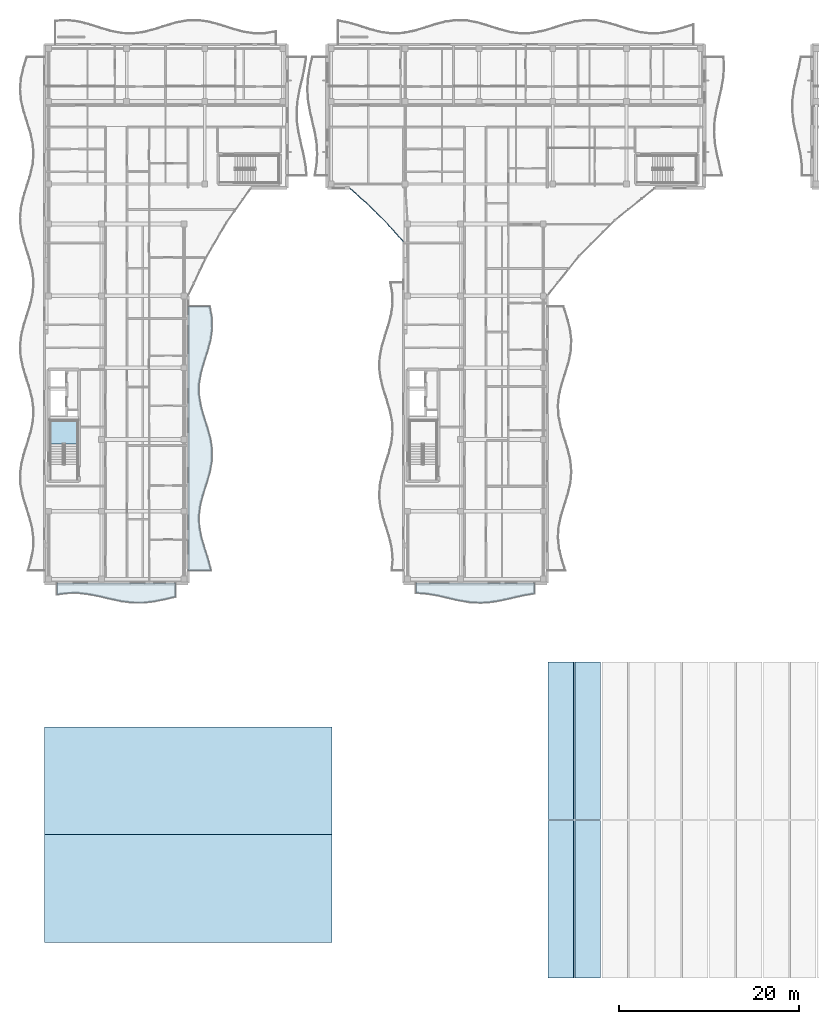
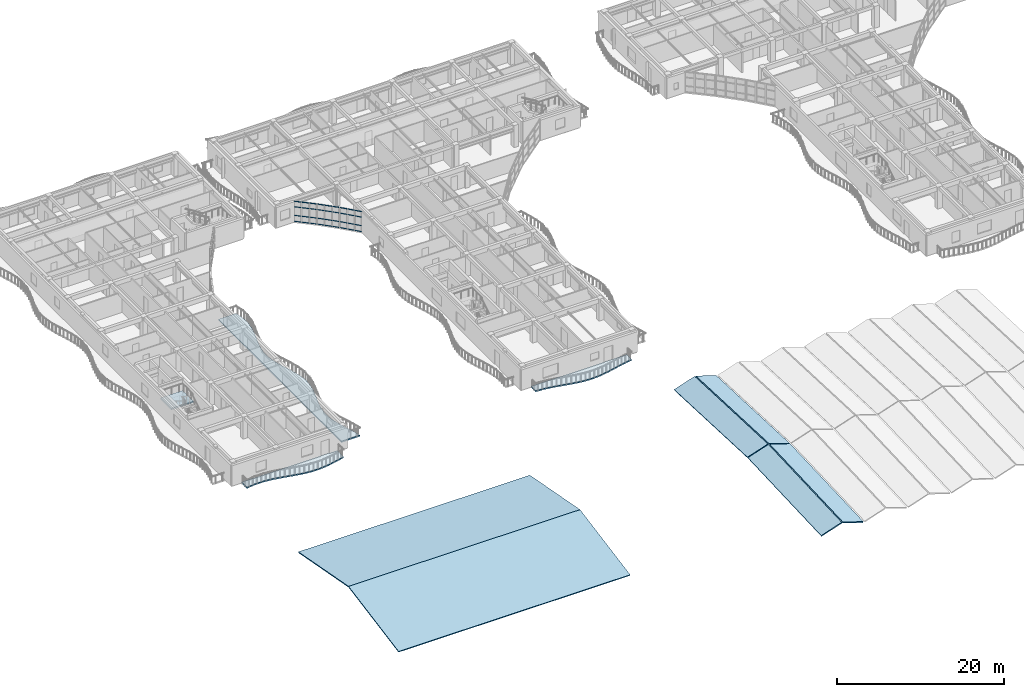
# One storey, part 36 of 89: 36 members, 10 slabs, 5 elements without a shape of their own.
"""IFC4 building model written with IfcOpenShell, lengths in metres."""

from ifc_helpers import new_model, si_unit, direction, frame, origin, origin_2d, place, context, subcontext, project, spatial, polyline, hollow_rectangle, outline, extrude, material, layer, layer_set, material_profile, profile_set, type_object, element, aggregate, save


model = new_model("IFC4")

# Units and contexts
model_context = context("Model", 3, precision=1e-05, world=origin(), true_north=direction((0.0, 1.0)))
body_context = subcontext(model_context, "Body", "Model", "MODEL_VIEW")
ifc_project = project(units=[si_unit("LENGTHUNIT", "METRE"), si_unit("AREAUNIT", "SQUARE_METRE"), si_unit("VOLUMEUNIT", "CUBIC_METRE"), si_unit("PLANEANGLEUNIT", "RADIAN"), si_unit("MASSUNIT", "GRAM", prefix="KILO")], contexts=[model_context])

# Site, building, storey
site_placement = place(None, origin())
site = spatial("IfcSite", under=ifc_project, at=site_placement, CompositionType="ELEMENT")
building_placement = place(site_placement, origin())
building = spatial("IfcBuilding", under=site, at=building_placement, Name="Keldmere Railside Commons", CompositionType="ELEMENT")
storey_placement = place(building_placement, frame((0.0, 0.0, 7.360107421875)))
storey = spatial("IfcBuildingStorey", under=building, at=storey_placement, Name="L02", CompositionType="ELEMENT", Elevation=7.360107421875)

# Curtain wall, members
ifc_material_1 = material(Name="Thermally Broken Aluminium", Category="aluminium")
ifc_layer_1 = layer(ifc_material_1, 0.159912109375, Name="Court Chord Wintergarden CW 4800x2850")
ifc_layer_set_1 = layer_set([ifc_layer_1], Name="Thermally Broken Aluminium")
curtain_wall_type_1 = type_object("IfcCurtainWallType", Name="Court Chord Wintergarden CW 4800x2850", PredefinedType="NOTDEFINED", material=ifc_layer_set_1)
curtain_wall_1_placement = place(storey_placement, origin())
curtain_wall_1 = element("IfcCurtainWall", 1, at=curtain_wall_1_placement, inside=storey, type_object=curtain_wall_type_1, Name="CW-12 CW-L02-040", PredefinedType="NOTDEFINED")
ifc_material_profile = material_profile(ifc_material_1, hollow_rectangle(XDim=0.06494140625, YDim=0.1201171875, WallThickness=0.00390625, at=origin_2d()), Name="ALU-TRAN-65x120")
ifc_profile_set = profile_set([ifc_material_profile], Name="Thermally Broken Aluminium")
member_type = type_object("IfcMemberType", Name="Unitised Curtain Wall Transom 65x120", PredefinedType="USERDEFINED", material=ifc_profile_set)
member_1_placement = place(storey_placement, frame((44.0595703125, 98.1533203125, 0.032470703125), z_axis=(-0.744569440646, 0.667545015752, 0.0), x_axis=(-0.667545015752, -0.744569440646, 0.0)))
member_1 = element("IfcMember", 2, at=member_1_placement, type_object=member_type, Name="CW-12 transom 1.1", ObjectType="TRANSOM", PredefinedType="USERDEFINED", context=body_context, shape_type="SweptSolid", body=[
    extrude(hollow_rectangle(XDim=0.06494140625, YDim=0.1201171875, WallThickness=0.00390625, at=origin_2d()), origin(), (0.0, 0.0, 1.0), 0.84619140625),
])
member_2_placement = place(storey_placement, frame((44.0595703125, 98.1533203125, 0.89990234375), z_axis=(-0.744569440646, 0.667545015752, 0.0), x_axis=(-0.667545015752, -0.744569440646, 0.0)))
member_2 = element("IfcMember", 3, at=member_2_placement, type_object=member_type, Name="CW-12 transom 1.2", ObjectType="TRANSOM", PredefinedType="USERDEFINED", context=body_context, shape_type="SweptSolid", body=[
    extrude(hollow_rectangle(XDim=0.06494140625, YDim=0.1201171875, WallThickness=0.00390625, at=origin_2d()), origin(), (0.0, 0.0, 1.0), 0.84619140625),
])
member_3_placement = place(storey_placement, frame((44.0595703125, 98.1533203125, 2.14990234375), z_axis=(-0.744569440646, 0.667545015752, 0.0), x_axis=(-0.667545015752, -0.744569440646, 0.0)))
member_3 = element("IfcMember", 4, at=member_3_placement, type_object=member_type, Name="CW-12 transom 1.3", ObjectType="TRANSOM", PredefinedType="USERDEFINED", context=body_context, shape_type="SweptSolid", body=[
    extrude(hollow_rectangle(XDim=0.06494140625, YDim=0.1201171875, WallThickness=0.00390625, at=origin_2d()), origin(), (0.0, 0.0, 1.0), 0.84619140625),
])
member_4_placement = place(storey_placement, frame((44.0595703125, 98.1533203125, 2.947509765625), z_axis=(-0.744569440646, 0.667545015752, 0.0), x_axis=(-0.667545015752, -0.744569440646, 0.0)))
member_4 = element("IfcMember", 5, at=member_4_placement, type_object=member_type, Name="CW-12 transom 1.4", ObjectType="TRANSOM", PredefinedType="USERDEFINED", context=body_context, shape_type="SweptSolid", body=[
    extrude(hollow_rectangle(XDim=0.06494140625, YDim=0.1201171875, WallThickness=0.00390625, at=origin_2d()), origin(), (0.0, 0.0, 1.0), 0.84619140625),
])
member_5_placement = place(storey_placement, frame((43.381103515625, 98.76171875, 0.032470703125), z_axis=(-0.744536109606, 0.667582190815, 0.0), x_axis=(-0.667582190815, -0.744536109606, 0.0)))
member_5 = element("IfcMember", 6, at=member_5_placement, type_object=member_type, Name="CW-12 transom 2.1", ObjectType="TRANSOM", PredefinedType="USERDEFINED", context=body_context, shape_type="SweptSolid", body=[
    extrude(hollow_rectangle(XDim=0.06494140625, YDim=0.1201171875, WallThickness=0.00390625, at=origin_2d()), origin(), (0.0, 0.0, 1.0), 0.87890625),
])
member_6_placement = place(storey_placement, frame((43.381103515625, 98.76171875, 0.89990234375), z_axis=(-0.744536109606, 0.667582190815, 0.0), x_axis=(-0.667582190815, -0.744536109606, 0.0)))
member_6 = element("IfcMember", 7, at=member_6_placement, type_object=member_type, Name="CW-12 transom 2.2", ObjectType="TRANSOM", PredefinedType="USERDEFINED", context=body_context, shape_type="SweptSolid", body=[
    extrude(hollow_rectangle(XDim=0.06494140625, YDim=0.1201171875, WallThickness=0.00390625, at=origin_2d()), origin(), (0.0, 0.0, 1.0), 0.87890625),
])
member_7_placement = place(storey_placement, frame((43.381103515625, 98.76171875, 2.14990234375), z_axis=(-0.744536109606, 0.667582190815, 0.0), x_axis=(-0.667582190815, -0.744536109606, 0.0)))
member_7 = element("IfcMember", 8, at=member_7_placement, type_object=member_type, Name="CW-12 transom 2.3", ObjectType="TRANSOM", PredefinedType="USERDEFINED", context=body_context, shape_type="SweptSolid", body=[
    extrude(hollow_rectangle(XDim=0.06494140625, YDim=0.1201171875, WallThickness=0.00390625, at=origin_2d()), origin(), (0.0, 0.0, 1.0), 0.87890625),
])
member_8_placement = place(storey_placement, frame((43.381103515625, 98.76171875, 2.947509765625), z_axis=(-0.744536109606, 0.667582190815, 0.0), x_axis=(-0.667582190815, -0.744536109606, 0.0)))
member_8 = element("IfcMember", 9, at=member_8_placement, type_object=member_type, Name="CW-12 transom 2.4", ObjectType="TRANSOM", PredefinedType="USERDEFINED", context=body_context, shape_type="SweptSolid", body=[
    extrude(hollow_rectangle(XDim=0.06494140625, YDim=0.1201171875, WallThickness=0.00390625, at=origin_2d()), origin(), (0.0, 0.0, 1.0), 0.87890625),
])
member_9_placement = place(storey_placement, frame((42.678466796875, 99.3916015625, 0.032470703125), z_axis=(-0.744569440646, 0.667545015752, 0.0), x_axis=(-0.667545015752, -0.744569440646, 0.0)))
member_9 = element("IfcMember", 10, at=member_9_placement, type_object=member_type, Name="CW-12 transom 3.1", ObjectType="TRANSOM", PredefinedType="USERDEFINED", context=body_context, shape_type="SweptSolid", body=[
    extrude(hollow_rectangle(XDim=0.06494140625, YDim=0.1201171875, WallThickness=0.00390625, at=origin_2d()), origin(), (0.0, 0.0, 1.0), 0.84619140625),
])
member_10_placement = place(storey_placement, frame((42.678466796875, 99.3916015625, 0.89990234375), z_axis=(-0.744569440646, 0.667545015752, 0.0), x_axis=(-0.667545015752, -0.744569440646, 0.0)))
member_10 = element("IfcMember", 11, at=member_10_placement, type_object=member_type, Name="CW-12 transom 3.2", ObjectType="TRANSOM", PredefinedType="USERDEFINED", context=body_context, shape_type="SweptSolid", body=[
    extrude(hollow_rectangle(XDim=0.06494140625, YDim=0.1201171875, WallThickness=0.00390625, at=origin_2d()), origin(), (0.0, 0.0, 1.0), 0.84619140625),
])
member_11_placement = place(storey_placement, frame((42.678466796875, 99.3916015625, 2.14990234375), z_axis=(-0.744569440646, 0.667545015752, 0.0), x_axis=(-0.667545015752, -0.744569440646, 0.0)))
member_11 = element("IfcMember", 12, at=member_11_placement, type_object=member_type, Name="CW-12 transom 3.3", ObjectType="TRANSOM", PredefinedType="USERDEFINED", context=body_context, shape_type="SweptSolid", body=[
    extrude(hollow_rectangle(XDim=0.06494140625, YDim=0.1201171875, WallThickness=0.00390625, at=origin_2d()), origin(), (0.0, 0.0, 1.0), 0.84619140625),
])
member_12_placement = place(storey_placement, frame((42.678466796875, 99.3916015625, 2.947509765625), z_axis=(-0.744569440646, 0.667545015752, 0.0), x_axis=(-0.667545015752, -0.744569440646, 0.0)))
member_12 = element("IfcMember", 13, at=member_12_placement, type_object=member_type, Name="CW-12 transom 3.4", ObjectType="TRANSOM", PredefinedType="USERDEFINED", context=body_context, shape_type="SweptSolid", body=[
    extrude(hollow_rectangle(XDim=0.06494140625, YDim=0.1201171875, WallThickness=0.00390625, at=origin_2d()), origin(), (0.0, 0.0, 1.0), 0.84619140625),
])
aggregate(curtain_wall_1, [member_1, member_2, member_3, member_4, member_5, member_6, member_7, member_8, member_9, member_10, member_11, member_12])

ifc_layer_2 = layer(ifc_material_1, 0.159912109375, Name="Court Chord Wintergarden CW 5400x2850")
ifc_layer_set_2 = layer_set([ifc_layer_2], Name="Thermally Broken Aluminium")
curtain_wall_type_2 = type_object("IfcCurtainWallType", Name="Court Chord Wintergarden CW 5400x2850", PredefinedType="NOTDEFINED", material=ifc_layer_set_2)
curtain_wall_2_placement = place(storey_placement, origin())
curtain_wall_2 = element("IfcCurtainWall", 14, at=curtain_wall_2_placement, inside=storey, type_object=curtain_wall_type_2, Name="CW-13 CW-L02-041", PredefinedType="NOTDEFINED")
member_13_placement = place(storey_placement, frame((46.06396484375, 96.154052734375, 0.032470703125), z_axis=(-0.707106781187, 0.707106781187, 0.0), x_axis=(-0.707106781187, -0.707106781187, 0.0)))
member_13 = element("IfcMember", 15, at=member_13_placement, type_object=member_type, Name="CW-13 transom 1.1", ObjectType="TRANSOM", PredefinedType="USERDEFINED", context=body_context, shape_type="SweptSolid", body=[
    extrude(hollow_rectangle(XDim=0.06494140625, YDim=0.1201171875, WallThickness=0.00390625, at=origin_2d()), origin(), (0.0, 0.0, 1.0), 0.84619140625),
])
member_14_placement = place(storey_placement, frame((46.06396484375, 96.154052734375, 0.89990234375), z_axis=(-0.707106781187, 0.707106781187, 0.0), x_axis=(-0.707106781187, -0.707106781187, 0.0)))
member_14 = element("IfcMember", 16, at=member_14_placement, type_object=member_type, Name="CW-13 transom 1.2", ObjectType="TRANSOM", PredefinedType="USERDEFINED", context=body_context, shape_type="SweptSolid", body=[
    extrude(hollow_rectangle(XDim=0.06494140625, YDim=0.1201171875, WallThickness=0.00390625, at=origin_2d()), origin(), (0.0, 0.0, 1.0), 0.84619140625),
])
member_15_placement = place(storey_placement, frame((46.06396484375, 96.154052734375, 2.14990234375), z_axis=(-0.707106781187, 0.707106781187, 0.0), x_axis=(-0.707106781187, -0.707106781187, 0.0)))
member_15 = element("IfcMember", 17, at=member_15_placement, type_object=member_type, Name="CW-13 transom 1.3", ObjectType="TRANSOM", PredefinedType="USERDEFINED", context=body_context, shape_type="SweptSolid", body=[
    extrude(hollow_rectangle(XDim=0.06494140625, YDim=0.1201171875, WallThickness=0.00390625, at=origin_2d()), origin(), (0.0, 0.0, 1.0), 0.84619140625),
])
member_16_placement = place(storey_placement, frame((46.06396484375, 96.154052734375, 2.947509765625), z_axis=(-0.707106781187, 0.707106781187, 0.0), x_axis=(-0.707106781187, -0.707106781187, 0.0)))
member_16 = element("IfcMember", 18, at=member_16_placement, type_object=member_type, Name="CW-13 transom 1.4", ObjectType="TRANSOM", PredefinedType="USERDEFINED", context=body_context, shape_type="SweptSolid", body=[
    extrude(hollow_rectangle(XDim=0.06494140625, YDim=0.1201171875, WallThickness=0.00390625, at=origin_2d()), origin(), (0.0, 0.0, 1.0), 0.84619140625),
])
member_17_placement = place(storey_placement, frame((45.419677734375, 96.79833984375, 0.032470703125), z_axis=(-0.707106781187, 0.707106781187, 0.0), x_axis=(-0.707106781187, -0.707106781187, 0.0)))
member_17 = element("IfcMember", 19, at=member_17_placement, type_object=member_type, Name="CW-13 transom 2.1", ObjectType="TRANSOM", PredefinedType="USERDEFINED", context=body_context, shape_type="SweptSolid", body=[
    extrude(hollow_rectangle(XDim=0.06494140625, YDim=0.1201171875, WallThickness=0.00390625, at=origin_2d()), origin(), (0.0, 0.0, 1.0), 0.878662109375),
])
member_18_placement = place(storey_placement, frame((45.419677734375, 96.79833984375, 0.89990234375), z_axis=(-0.707106781187, 0.707106781187, 0.0), x_axis=(-0.707106781187, -0.707106781187, 0.0)))
member_18 = element("IfcMember", 20, at=member_18_placement, type_object=member_type, Name="CW-13 transom 2.2", ObjectType="TRANSOM", PredefinedType="USERDEFINED", context=body_context, shape_type="SweptSolid", body=[
    extrude(hollow_rectangle(XDim=0.06494140625, YDim=0.1201171875, WallThickness=0.00390625, at=origin_2d()), origin(), (0.0, 0.0, 1.0), 0.878662109375),
])
member_19_placement = place(storey_placement, frame((45.419677734375, 96.79833984375, 2.14990234375), z_axis=(-0.707106781187, 0.707106781187, 0.0), x_axis=(-0.707106781187, -0.707106781187, 0.0)))
member_19 = element("IfcMember", 21, at=member_19_placement, type_object=member_type, Name="CW-13 transom 2.3", ObjectType="TRANSOM", PredefinedType="USERDEFINED", context=body_context, shape_type="SweptSolid", body=[
    extrude(hollow_rectangle(XDim=0.06494140625, YDim=0.1201171875, WallThickness=0.00390625, at=origin_2d()), origin(), (0.0, 0.0, 1.0), 0.878662109375),
])
member_20_placement = place(storey_placement, frame((45.419677734375, 96.79833984375, 2.947509765625), z_axis=(-0.707106781187, 0.707106781187, 0.0), x_axis=(-0.707106781187, -0.707106781187, 0.0)))
member_20 = element("IfcMember", 22, at=member_20_placement, type_object=member_type, Name="CW-13 transom 2.4", ObjectType="TRANSOM", PredefinedType="USERDEFINED", context=body_context, shape_type="SweptSolid", body=[
    extrude(hollow_rectangle(XDim=0.06494140625, YDim=0.1201171875, WallThickness=0.00390625, at=origin_2d()), origin(), (0.0, 0.0, 1.0), 0.878662109375),
])
member_21_placement = place(storey_placement, frame((44.75244140625, 97.465576171875, 0.032470703125), z_axis=(-0.707106781187, 0.707106781187, 0.0), x_axis=(-0.707106781187, -0.707106781187, 0.0)))
member_21 = element("IfcMember", 23, at=member_21_placement, type_object=member_type, Name="CW-13 transom 3.1", ObjectType="TRANSOM", PredefinedType="USERDEFINED", context=body_context, shape_type="SweptSolid", body=[
    extrude(hollow_rectangle(XDim=0.06494140625, YDim=0.1201171875, WallThickness=0.00390625, at=origin_2d()), origin(), (0.0, 0.0, 1.0), 0.84619140625),
])
member_22_placement = place(storey_placement, frame((44.75244140625, 97.465576171875, 0.89990234375), z_axis=(-0.707106781187, 0.707106781187, 0.0), x_axis=(-0.707106781187, -0.707106781187, 0.0)))
member_22 = element("IfcMember", 24, at=member_22_placement, type_object=member_type, Name="CW-13 transom 3.2", ObjectType="TRANSOM", PredefinedType="USERDEFINED", context=body_context, shape_type="SweptSolid", body=[
    extrude(hollow_rectangle(XDim=0.06494140625, YDim=0.1201171875, WallThickness=0.00390625, at=origin_2d()), origin(), (0.0, 0.0, 1.0), 0.84619140625),
])
member_23_placement = place(storey_placement, frame((44.75244140625, 97.465576171875, 2.14990234375), z_axis=(-0.707106781187, 0.707106781187, 0.0), x_axis=(-0.707106781187, -0.707106781187, 0.0)))
member_23 = element("IfcMember", 25, at=member_23_placement, type_object=member_type, Name="CW-13 transom 3.3", ObjectType="TRANSOM", PredefinedType="USERDEFINED", context=body_context, shape_type="SweptSolid", body=[
    extrude(hollow_rectangle(XDim=0.06494140625, YDim=0.1201171875, WallThickness=0.00390625, at=origin_2d()), origin(), (0.0, 0.0, 1.0), 0.84619140625),
])
member_24_placement = place(storey_placement, frame((44.75244140625, 97.465576171875, 2.947509765625), z_axis=(-0.707106781187, 0.707106781187, 0.0), x_axis=(-0.707106781187, -0.707106781187, 0.0)))
member_24 = element("IfcMember", 26, at=member_24_placement, type_object=member_type, Name="CW-13 transom 3.4", ObjectType="TRANSOM", PredefinedType="USERDEFINED", context=body_context, shape_type="SweptSolid", body=[
    extrude(hollow_rectangle(XDim=0.06494140625, YDim=0.1201171875, WallThickness=0.00390625, at=origin_2d()), origin(), (0.0, 0.0, 1.0), 0.84619140625),
])
aggregate(curtain_wall_2, [member_13, member_14, member_15, member_16, member_17, member_18, member_19, member_20, member_21, member_22, member_23, member_24])

curtain_wall_3_placement = place(storey_placement, origin())
curtain_wall_3 = element("IfcCurtainWall", 27, at=curtain_wall_3_placement, inside=storey, type_object=curtain_wall_type_1, Name="CW-12 CW-L02-042", PredefinedType="NOTDEFINED")
member_25_placement = place(storey_placement, frame((47.95654296875, 94.04833984375, 0.032470703125), z_axis=(-0.667545015752, 0.744569440646, 0.0), x_axis=(-0.744569440646, -0.667545015752, 0.0)))
member_25 = element("IfcMember", 28, at=member_25_placement, type_object=member_type, Name="CW-12 transom 1.1", ObjectType="TRANSOM", PredefinedType="USERDEFINED", context=body_context, shape_type="SweptSolid", body=[
    extrude(hollow_rectangle(XDim=0.06494140625, YDim=0.1201171875, WallThickness=0.00390625, at=origin_2d()), origin(), (0.0, 0.0, 1.0), 0.84619140625),
])
member_26_placement = place(storey_placement, frame((47.95654296875, 94.04833984375, 0.89990234375), z_axis=(-0.667545015752, 0.744569440646, 0.0), x_axis=(-0.744569440646, -0.667545015752, 0.0)))
member_26 = element("IfcMember", 29, at=member_26_placement, type_object=member_type, Name="CW-12 transom 1.2", ObjectType="TRANSOM", PredefinedType="USERDEFINED", context=body_context, shape_type="SweptSolid", body=[
    extrude(hollow_rectangle(XDim=0.06494140625, YDim=0.1201171875, WallThickness=0.00390625, at=origin_2d()), origin(), (0.0, 0.0, 1.0), 0.84619140625),
])
member_27_placement = place(storey_placement, frame((47.95654296875, 94.04833984375, 2.14990234375), z_axis=(-0.667545015752, 0.744569440646, 0.0), x_axis=(-0.744569440646, -0.667545015752, 0.0)))
member_27 = element("IfcMember", 30, at=member_27_placement, type_object=member_type, Name="CW-12 transom 1.3", ObjectType="TRANSOM", PredefinedType="USERDEFINED", context=body_context, shape_type="SweptSolid", body=[
    extrude(hollow_rectangle(XDim=0.06494140625, YDim=0.1201171875, WallThickness=0.00390625, at=origin_2d()), origin(), (0.0, 0.0, 1.0), 0.84619140625),
])
member_28_placement = place(storey_placement, frame((47.95654296875, 94.04833984375, 2.947509765625), z_axis=(-0.667545015752, 0.744569440646, 0.0), x_axis=(-0.744569440646, -0.667545015752, 0.0)))
member_28 = element("IfcMember", 31, at=member_28_placement, type_object=member_type, Name="CW-12 transom 1.4", ObjectType="TRANSOM", PredefinedType="USERDEFINED", context=body_context, shape_type="SweptSolid", body=[
    extrude(hollow_rectangle(XDim=0.06494140625, YDim=0.1201171875, WallThickness=0.00390625, at=origin_2d()), origin(), (0.0, 0.0, 1.0), 0.84619140625),
])
member_29_placement = place(storey_placement, frame((47.348388671875, 94.726806640625, 0.032470703125), z_axis=(-0.667582190815, 0.744536109606, 0.0), x_axis=(-0.744536109606, -0.667582190815, 0.0)))
member_29 = element("IfcMember", 32, at=member_29_placement, type_object=member_type, Name="CW-12 transom 2.1", ObjectType="TRANSOM", PredefinedType="USERDEFINED", context=body_context, shape_type="SweptSolid", body=[
    extrude(hollow_rectangle(XDim=0.06494140625, YDim=0.1201171875, WallThickness=0.00390625, at=origin_2d()), origin(), (0.0, 0.0, 1.0), 0.87890625),
])
member_30_placement = place(storey_placement, frame((47.348388671875, 94.726806640625, 0.89990234375), z_axis=(-0.667582190815, 0.744536109606, 0.0), x_axis=(-0.744536109606, -0.667582190815, 0.0)))
member_30 = element("IfcMember", 33, at=member_30_placement, type_object=member_type, Name="CW-12 transom 2.2", ObjectType="TRANSOM", PredefinedType="USERDEFINED", context=body_context, shape_type="SweptSolid", body=[
    extrude(hollow_rectangle(XDim=0.06494140625, YDim=0.1201171875, WallThickness=0.00390625, at=origin_2d()), origin(), (0.0, 0.0, 1.0), 0.87890625),
])
member_31_placement = place(storey_placement, frame((47.348388671875, 94.726806640625, 2.14990234375), z_axis=(-0.667582190815, 0.744536109606, 0.0), x_axis=(-0.744536109606, -0.667582190815, 0.0)))
member_31 = element("IfcMember", 34, at=member_31_placement, type_object=member_type, Name="CW-12 transom 2.3", ObjectType="TRANSOM", PredefinedType="USERDEFINED", context=body_context, shape_type="SweptSolid", body=[
    extrude(hollow_rectangle(XDim=0.06494140625, YDim=0.1201171875, WallThickness=0.00390625, at=origin_2d()), origin(), (0.0, 0.0, 1.0), 0.87890625),
])
member_32_placement = place(storey_placement, frame((47.348388671875, 94.726806640625, 2.947509765625), z_axis=(-0.667582190815, 0.744536109606, 0.0), x_axis=(-0.744536109606, -0.667582190815, 0.0)))
member_32 = element("IfcMember", 35, at=member_32_placement, type_object=member_type, Name="CW-12 transom 2.4", ObjectType="TRANSOM", PredefinedType="USERDEFINED", context=body_context, shape_type="SweptSolid", body=[
    extrude(hollow_rectangle(XDim=0.06494140625, YDim=0.1201171875, WallThickness=0.00390625, at=origin_2d()), origin(), (0.0, 0.0, 1.0), 0.87890625),
])
member_33_placement = place(storey_placement, frame((46.71826171875, 95.429443359375, 0.032470703125), z_axis=(-0.667545015752, 0.744569440646, 0.0), x_axis=(-0.744569440646, -0.667545015752, 0.0)))
member_33 = element("IfcMember", 36, at=member_33_placement, type_object=member_type, Name="CW-12 transom 3.1", ObjectType="TRANSOM", PredefinedType="USERDEFINED", context=body_context, shape_type="SweptSolid", body=[
    extrude(hollow_rectangle(XDim=0.06494140625, YDim=0.1201171875, WallThickness=0.00390625, at=origin_2d()), origin(), (0.0, 0.0, 1.0), 0.84619140625),
])
member_34_placement = place(storey_placement, frame((46.71826171875, 95.429443359375, 0.89990234375), z_axis=(-0.667545015752, 0.744569440646, 0.0), x_axis=(-0.744569440646, -0.667545015752, 0.0)))
member_34 = element("IfcMember", 37, at=member_34_placement, type_object=member_type, Name="CW-12 transom 3.2", ObjectType="TRANSOM", PredefinedType="USERDEFINED", context=body_context, shape_type="SweptSolid", body=[
    extrude(hollow_rectangle(XDim=0.06494140625, YDim=0.1201171875, WallThickness=0.00390625, at=origin_2d()), origin(), (0.0, 0.0, 1.0), 0.84619140625),
])
member_35_placement = place(storey_placement, frame((46.71826171875, 95.429443359375, 2.14990234375), z_axis=(-0.667545015752, 0.744569440646, 0.0), x_axis=(-0.744569440646, -0.667545015752, 0.0)))
member_35 = element("IfcMember", 38, at=member_35_placement, type_object=member_type, Name="CW-12 transom 3.3", ObjectType="TRANSOM", PredefinedType="USERDEFINED", context=body_context, shape_type="SweptSolid", body=[
    extrude(hollow_rectangle(XDim=0.06494140625, YDim=0.1201171875, WallThickness=0.00390625, at=origin_2d()), origin(), (0.0, 0.0, 1.0), 0.84619140625),
])
member_36_placement = place(storey_placement, frame((46.71826171875, 95.429443359375, 2.947509765625), z_axis=(-0.667545015752, 0.744569440646, 0.0), x_axis=(-0.744569440646, -0.667545015752, 0.0)))
member_36 = element("IfcMember", 39, at=member_36_placement, type_object=member_type, Name="CW-12 transom 3.4", ObjectType="TRANSOM", PredefinedType="USERDEFINED", context=body_context, shape_type="SweptSolid", body=[
    extrude(hollow_rectangle(XDim=0.06494140625, YDim=0.1201171875, WallThickness=0.00390625, at=origin_2d()), origin(), (0.0, 0.0, 1.0), 0.84619140625),
])
aggregate(curtain_wall_3, [member_25, member_26, member_27, member_28, member_29, member_30, member_31, member_32, member_33, member_34, member_35, member_36])

# Roof, slabs
ifc_material_2 = material(Name="Concrete H-35 (C35/45)", Category="concrete")
ifc_layer_3 = layer(ifc_material_2, 0.159912109375, Name="Community Hall Folded-Plate Roof Assembly")
ifc_layer_set_3 = layer_set([ifc_layer_3], Name="Concrete H-35 (C35/45)")
roof_type = type_object("IfcRoofType", Name="Community Hall Folded-Plate Roof Assembly", PredefinedType="BUTTERFLY_ROOF", material=ifc_layer_set_3)
roof_placement = place(storey_placement, origin())
roof = element("IfcRoof", 40, at=roof_placement, inside=storey, type_object=roof_type, Name="Roof Community Hall 7-Bay Folded Plate", PredefinedType="BUTTERFLY_ROOF")
ifc_layer_4 = layer(ifc_material_2, 0.159912109375, Name="Community Hall Folded-Plate Roof 160")
ifc_layer_set_4 = layer_set([ifc_layer_4], Name="Concrete H-35 (C35/45)")
slab_type_1 = type_object("IfcSlabType", Name="Community Hall Folded-Plate Roof 160", PredefinedType="ROOF", material=ifc_layer_set_4)
slab_1_placement = place(storey_placement, frame((64.080078125, 12.0, -0.283447265625), z_axis=(-0.31598187883, -0.040395173222, 0.947904890921), x_axis=(0.948679240049, -1.561474e-06, 0.316239939758)))
slab_1 = element("IfcSlab", 41, at=slab_1_placement, type_object=slab_type_1, Name="Roof Folded-Plate Facet FP-B1-WS", PredefinedType="ROOF", context=body_context, shape_type="SweptSolid", body=[
    extrude(outline(polyline([(0.0, 0.0), (2.9934324137423065, -6.938893903907228e-18), (3.229890109467513, 17.55925910379295), (0.236380488708664, 17.559249747700267), (0.0, 0.0)])), origin(), (0.0, 0.0, -1.0), 0.159912109375),
])
slab_2_placement = place(storey_placement, frame((67.080078125, 12.0, 0.6630859375), z_axis=(0.31598187883, -0.040395173222, 0.947904890921), x_axis=(0.948679240049, 1.561474e-06, -0.316239939758)))
slab_2 = element("IfcSlab", 42, at=slab_2_placement, type_object=slab_type_1, Name="Roof Folded-Plate Facet FP-B1-ES", PredefinedType="ROOF", context=body_context, shape_type="SweptSolid", body=[
    extrude(outline(polyline([(0.0, 0.0), (2.9934324137423065, 6.938893903907228e-18), (2.7570519250336423, 17.559249747700267), (-0.2364576957252065, 17.55925910379295), (0.0, 0.0)])), origin(), (0.0, 0.0, -1.0), 0.159912109375),
])
slab_3_placement = place(storey_placement, frame((64.080078125, 29.655029296875, 0.464111328125), z_axis=(-0.31598187883, 0.040395173222, 0.947904890921), x_axis=(0.948679200122, -1.561434e-06, 0.316240059532)))
slab_3 = element("IfcSlab", 43, at=slab_3_placement, type_object=slab_type_1, Name="Roof Folded-Plate Facet FP-B1-WN", PredefinedType="ROOF", context=body_context, shape_type="SweptSolid", body=[
    extrude(outline(polyline([(0.0, 0.0), (2.9935096207734695, 6.938893903907228e-18), (2.75699704429858, 17.559258364668263), (-0.23643536942910542, 17.55924900881689), (0.0, 0.0)])), origin(), (0.0, 0.0, -1.0), 0.159912109375),
])
slab_4_placement = place(storey_placement, frame((67.080078125, 29.655029296875, 1.410888671875), z_axis=(0.31598187883, 0.040395173222, 0.947904890921), x_axis=(0.948679200122, 1.561434e-06, -0.316240059532)))
slab_4 = element("IfcSlab", 44, at=slab_4_placement, type_object=slab_type_1, Name="Roof Folded-Plate Facet FP-B1-EN", PredefinedType="ROOF", context=body_context, shape_type="SweptSolid", body=[
    extrude(outline(polyline([(0.0, 0.0), (2.9935096207734695, -6.938893903907228e-18), (3.229944990202575, 17.55924900881689), (0.23651257647488963, 17.559258364668267), (0.0, 0.0)])), origin(), (0.0, 0.0, -1.0), 0.159912109375),
])
aggregate(roof, [slab_1, slab_2, slab_3, slab_4])

# Stair, slab
ifc_material_3 = material(Name="Concrete H-30 (C30/37)", Category="concrete")
stair_type = type_object("IfcStairType", Name="Residential Core Dogleg Stair 1450", PredefinedType="HALF_TURN_STAIR", material=ifc_material_3)
stair_placement = place(storey_placement, origin())
stair = element("IfcStair", 45, at=stair_placement, inside=storey, type_object=stair_type, Name="L02 Block D Primary Escape Stair 1", PredefinedType="HALF_TURN_STAIR")
ifc_layer_5 = layer(ifc_material_3, 0.199951171875, Name="Enclosed Stair Landing Slab 200")
ifc_layer_set_5 = layer_set([ifc_layer_5], Name="Concrete H-30 (C30/37)")
slab_type_2 = type_object("IfcSlabType", Name="Enclosed Stair Landing Slab 200", PredefinedType="LANDING", material=ifc_layer_set_5)
slab_5_placement = place(storey_placement, frame((0.0, 0.0, 1.39990234375)))
slab_5 = element("IfcSlab", 46, at=slab_5_placement, type_object=slab_type_2, Name="ST-D1 landing 1", PredefinedType="LANDING", context=body_context, shape_type="SweptSolid", body=[
    extrude(outline(polyline([(11.699951171875, 71.52001953125), (11.699951171875, 74.10009765625), (8.64990234375, 74.10009765625), (8.64990234375, 71.52001953125), (11.699951171875, 71.52001953125)])), origin(), (0.0, 0.0, 1.0), 0.199951171875),
])
aggregate(stair, [slab_5])

# Slabs
ifc_layer_6 = layer(ifc_material_2, 0.139892578125, Name="Nursery Pitched Roof Slab 140")
ifc_layer_set_6 = layer_set([ifc_layer_6], Name="Concrete H-35 (C35/45)")
slab_type_3 = type_object("IfcSlabType", Name="Nursery Pitched Roof Slab 140", PredefinedType="ROOF", material=ifc_layer_set_6)
for number, where, z_axis, x_axis, name in (
    (47, (8.0, 16.0, 0.0), (0.0, -0.183496340055, 0.983020393067), (1.0, 0.0, 0.0), "Roof Nursery Pitched Facet S"),
    (48, (40.0, 40.0, 0.0), (0.0, 0.183496340055, 0.983020393067), (-1.0, 0.0, 0.0), "Roof Nursery Pitched Facet N"),
):
    element("IfcSlab", number, at=place(storey_placement, frame(where, z_axis=z_axis, x_axis=x_axis)), inside=storey, type_object=slab_type_3, Name=name, PredefinedType="ROOF", context=body_context, shape_type="SweptSolid", body=[
        extrude(outline(polyline([(0.0, 0.0), (32.0, 0.0), (32.0, 12.207274726575761), (0.0, 12.207274726575761), (0.0, 0.0)])), origin(), (0.0, 0.0, -1.0), 0.139892578125),
    ])
ifc_material_4 = material(Name="White Precast Concrete H-35 (C35/45)", Category="concrete")
ifc_layer_7 = layer(ifc_material_4, 0.179931640625, Name="Sinusoidal Wave Balcony Slab 180")
ifc_layer_set_7 = layer_set([ifc_layer_7], Name="White Precast Concrete H-35 (C35/45)")
slab_type_4 = type_object("IfcSlabType", Name="Sinusoidal Wave Balcony Slab 180", PredefinedType="FLOOR", material=ifc_layer_set_7)
slab_6_placement = place(storey_placement, frame((0.0, 0.0, -0.18017578125)))
element("IfcSlab", 49, at=slab_6_placement, inside=storey, type_object=slab_type_4, Name="WB-1 D L02 CE Wave Balcony", PredefinedType="FLOOR", context=body_context, shape_type="SweptSolid", body=[
    extrude(outline(polyline([(26.556396484375, 57.39990234375), (26.2470703125, 58.625), (25.854736328125, 59.85009765625), (25.489013671875, 61.074951171875), (25.251953125, 62.300048828125), (25.209716796875, 63.52490234375), (25.373779296875, 64.75), (25.69873046875, 65.97509765625), (26.09375, 67.199951171875), (26.44873046875, 68.425048828125), (26.66455078125, 69.64990234375), (26.680908203125, 70.875), (26.49365234375, 72.10009765625), (26.154541015625, 73.324951171875), (25.75830078125, 74.550048828125), (25.415771484375, 75.77490234375), (25.22216796875, 77.0), (25.2314453125, 78.22509765625), (25.44140625, 79.449951171875), (25.793212890625, 80.675048828125), (26.188720703125, 81.89990234375), (26.517578125, 83.125), (26.68798828125, 84.35009765625), (26.65283203125, 85.574951171875), (26.42138671875, 86.800048828125), (24.0, 86.800048828125), (24.0, 85.574951171875), (24.0, 84.35009765625), (24.0, 83.125), (24.0, 81.89990234375), (24.0, 80.675048828125), (24.0, 79.449951171875), (24.0, 78.22509765625), (24.0, 77.0), (24.0, 75.77490234375), (24.0, 74.550048828125), (24.0, 73.324951171875), (24.0, 72.10009765625), (24.0, 70.875), (24.0, 69.64990234375), (24.0, 68.425048828125), (24.0, 67.199951171875), (24.0, 65.97509765625), (24.0, 64.75), (24.0, 63.52490234375), (24.0, 62.300048828125), (24.0, 61.074951171875), (24.0, 59.85009765625), (24.0, 58.625), (24.0, 57.39990234375), (26.556396484375, 57.39990234375)])), origin(), (0.0, 0.0, 1.0), 0.18017578125),
])
slab_7_placement = place(storey_placement, frame((0.0, 0.0, -0.18017578125)))
element("IfcSlab", 50, at=slab_7_placement, inside=storey, type_object=slab_type_4, Name="WB-1 D L02 S Wave Balcony", PredefinedType="FLOOR", context=body_context, shape_type="SweptSolid", body=[
    extrude(outline(polyline([(9.39990234375, 54.728271484375), (10.60009765625, 54.877197265625), (11.800048828125, 54.885009765625), (13.0, 54.749267578125), (14.199951171875, 54.506591796875), (15.39990234375, 54.221923828125), (16.60009765625, 53.9716796875), (17.800048828125, 53.82275390625), (19.0, 53.815185546875), (20.199951171875, 53.95068359375), (21.39990234375, 54.193359375), (22.60009765625, 54.47802734375), (22.60009765625, 56.0), (21.39990234375, 56.0), (20.199951171875, 56.0), (19.0, 56.0), (17.800048828125, 56.0), (16.60009765625, 56.0), (15.39990234375, 56.0), (14.199951171875, 56.0), (13.0, 56.0), (11.800048828125, 56.0), (10.60009765625, 56.0), (9.39990234375, 56.0), (9.39990234375, 54.728271484375)])), origin(), (0.0, 0.0, 1.0), 0.18017578125),
])
slab_8_placement = place(storey_placement, frame((0.0, 0.0, -0.18017578125)))
element("IfcSlab", 51, at=slab_8_placement, inside=storey, type_object=slab_type_4, Name="WB-1 C L02 S Wave Balcony", PredefinedType="FLOOR", context=body_context, shape_type="SweptSolid", body=[
    extrude(outline(polyline([(49.39990234375, 54.899658203125), (50.60009765625, 54.815673828125), (51.800048828125, 54.60693359375), (53.0, 54.329345703125), (54.199951171875, 54.057373046875), (55.39990234375, 53.86376953125), (56.60009765625, 53.80029296875), (57.800048828125, 53.884521484375), (59.0, 54.093017578125), (60.199951171875, 54.37060546875), (61.39990234375, 54.642578125), (62.60009765625, 54.836181640625), (62.60009765625, 56.0), (61.39990234375, 56.0), (60.199951171875, 56.0), (59.0, 56.0), (57.800048828125, 56.0), (56.60009765625, 56.0), (55.39990234375, 56.0), (54.199951171875, 56.0), (53.0, 56.0), (51.800048828125, 56.0), (50.60009765625, 56.0), (49.39990234375, 56.0), (49.39990234375, 54.899658203125)])), origin(), (0.0, 0.0, 1.0), 0.18017578125),
])

save(model, "model.ifc")
